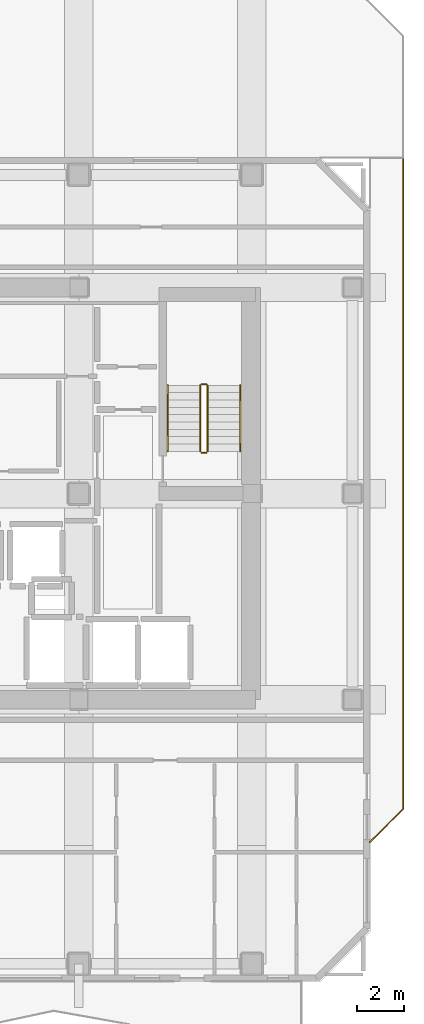
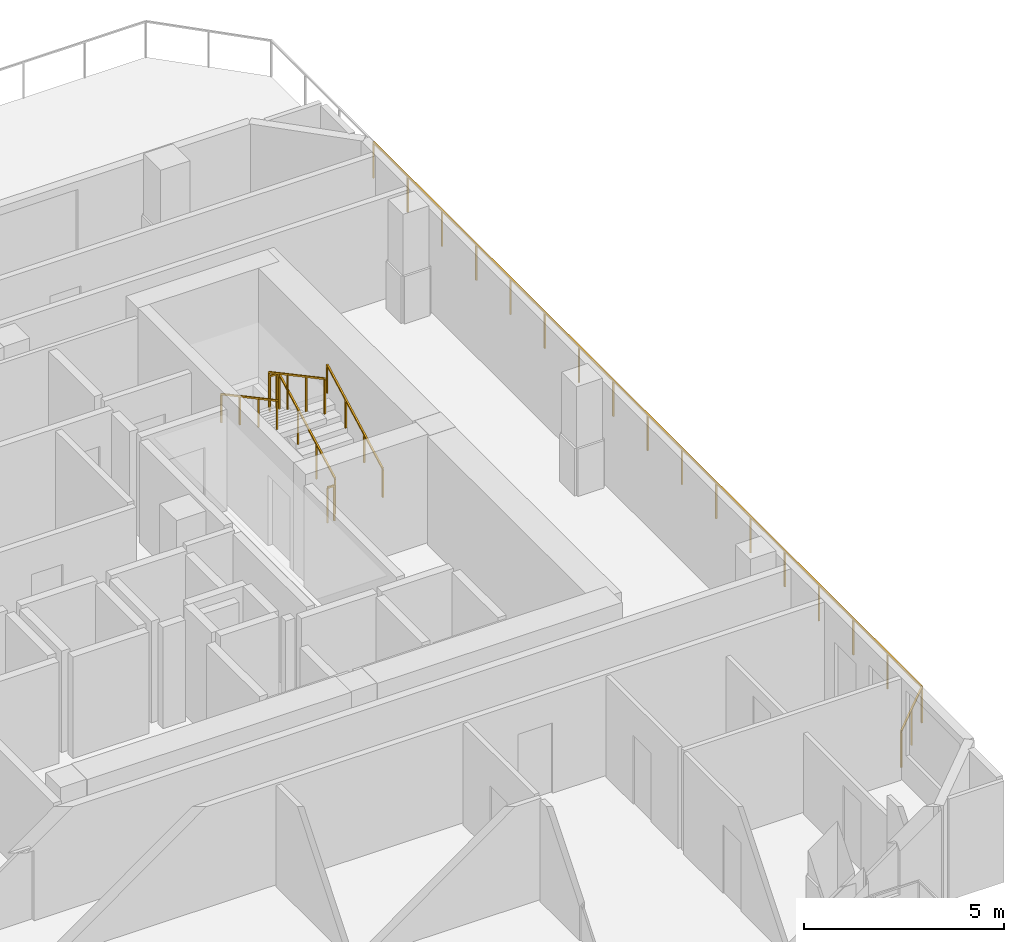
# One storey, part 9 of 10: 8 railings.
"""IFC4 building model written with IfcOpenShell, lengths in metres."""

import ifcopenshell
import ifcopenshell.guid

model = None  # the IFC model being written
_history = None  # IfcOwnerHistory: only IFC2X3 demands one
_inside = {}  # id of a spatial element -> (the spatial element, [elements in it])
_under = {}  # id of a project, library or spatial element -> (it, [spatial elements below it])
_declared = {}  # id of a project -> (the project, [libraries it declares])
_typed = {}  # id of a type object -> (the type object, [elements of that type])
_made_of = {}  # id of a material, layer set ... -> (it, [elements and type objects made of it])


def new_model(schema):
    """Start an empty IFC model of exactly this schema.

    Asked for "IFC4X3", IfcOpenShell would pick the latest addendum, in which some entities
    have other attributes; the version numbers below select the first issue.
    IFC2X3 requires an IfcOwnerHistory on every rooted entity: one is made here for all.
    """
    global model, _history
    if schema == "IFC4X3":
        model = ifcopenshell.file(schema_version=(4, 3, 0, 0))
    else:
        model = ifcopenshell.file(schema=schema)
    _inside.clear()
    _under.clear()
    _declared.clear()
    _typed.clear()
    _made_of.clear()
    _history = None
    if model.schema == "IFC2X3":
        org = make("IfcOrganization", Name="unknown")
        user = make(
            "IfcPersonAndOrganization",
            ThePerson=make("IfcPerson", FamilyName="unknown"),
            TheOrganization=org,
        )
        app = make(
            "IfcApplication",
            ApplicationDeveloper=org,
            Version="unknown",
            ApplicationFullName="unknown",
            ApplicationIdentifier="unknown",
        )
        _history = make(
            "IfcOwnerHistory",
            OwningUser=user,
            OwningApplication=app,
            ChangeAction="ADDED",
            CreationDate=0,
        )
    return model


def make(cls, **values):
    """One entity of the class cls with the attributes given. An attribute that is None is left unset."""
    return model.create_entity(
        cls, **{name: value for name, value in values.items() if value is not None}
    )


def rooted(cls, **values):
    """An entity with a GlobalId (a new one), such as an element, a storey or a relation."""
    return make(cls, GlobalId=ifcopenshell.guid.new(), OwnerHistory=_history, **values)


def si_unit(unit_type, name, prefix=None):
    """IfcSIUnit, for example si_unit("LENGTHUNIT", "METRE", prefix="MILLI")."""
    return make("IfcSIUnit", UnitType=unit_type, Prefix=prefix, Name=name)


def assignment(units):
    """IfcUnitAssignment: the units of a project."""
    return None if units is None else make("IfcUnitAssignment", Units=units)


def point(xyz):
    """IfcCartesianPoint."""
    return None if xyz is None else make("IfcCartesianPoint", Coordinates=xyz)


def direction(xyz):
    """IfcDirection."""
    return None if xyz is None else make("IfcDirection", DirectionRatios=xyz)


def frame(location, z_axis=None, x_axis=None):
    """IfcAxis2Placement3D, a coordinate frame: its origin and axes. An axis left out is left unset."""
    return make(
        "IfcAxis2Placement3D",
        Location=point(location),
        Axis=direction(z_axis),
        RefDirection=direction(x_axis),
    )


def frame_2d(location, x_axis=None):
    """IfcAxis2Placement2D, a coordinate frame in the plane: its origin and x axis."""
    return make(
        "IfcAxis2Placement2D", Location=point(location), RefDirection=direction(x_axis)
    )


def origin():
    """The frame at (0, 0, 0) with its axes left unset."""
    return frame((0.0, 0.0, 0.0))


def origin_2d():
    """The frame at (0, 0) in the plane with its x axis left unset."""
    return frame_2d((0.0, 0.0))


def place(relative_to, where):
    """IfcLocalPlacement: puts the frame where relative to a parent placement (None: the world)."""
    return make(
        "IfcLocalPlacement", PlacementRelTo=relative_to, RelativePlacement=where
    )


def context(
    kind, dimensions, precision=None, world=None, true_north=None, identifier=None
):
    """IfcGeometricRepresentationContext, for example the 3D "Model" context."""
    return make(
        "IfcGeometricRepresentationContext",
        ContextIdentifier=identifier,
        ContextType=kind,
        CoordinateSpaceDimension=dimensions,
        Precision=precision,
        WorldCoordinateSystem=world,
        TrueNorth=true_north,
    )


def subcontext(parent, identifier, kind, view, scale=None):
    """IfcGeometricRepresentationSubContext, for example "Body" below "Model"."""
    return make(
        "IfcGeometricRepresentationSubContext",
        ContextIdentifier=identifier,
        ContextType=kind,
        ParentContext=parent,
        TargetScale=scale,
        TargetView=view,
    )


def project(units=None, contexts=None):
    """IfcProject with its units and contexts."""
    return rooted(
        "IfcProject",
        Name="project",
        RepresentationContexts=contexts,
        UnitsInContext=assignment(units),
    )


def spatial(cls, under=None, at=None, **own):
    """A site, building, storey or space (cls), placed at a placement, below another one or the project."""
    s = rooted(cls, ObjectPlacement=at, **own)
    if under is not None:
        _under.setdefault(under.id(), (under, []))[1].append(s)
    return s


def profile(cls, at=None, kind="AREA", **sizes):
    """A parametric profile (cls). Its sizes go by their IFC names, for example OverallWidth=200.0."""
    return make(cls, ProfileType=kind, Position=at, **sizes)


def rectangle(**sizes):
    """IfcRectangleProfileDef."""
    return profile("IfcRectangleProfileDef", **sizes)


def extrude(swept, where, along, depth):
    """IfcExtrudedAreaSolid: the profile swept, set in the frame where, extruded along a direction by depth."""
    return make(
        "IfcExtrudedAreaSolid",
        SweptArea=swept,
        Position=where,
        ExtrudedDirection=direction(along),
        Depth=depth,
    )


def shape(context_of_items, identifier, shape_type, items):
    """IfcShapeRepresentation: the items that make up one representation, for example the "Body"."""
    return make(
        "IfcShapeRepresentation",
        ContextOfItems=context_of_items,
        RepresentationIdentifier=identifier,
        RepresentationType=shape_type,
        Items=items,
    )


def material(Name=None, Category=None):
    """IfcMaterial."""
    return make("IfcMaterial", Name=Name, Category=Category)


def made_of(thing, what):
    """Note that an element or type object is made of a material, layer set ...; save() writes the relation."""
    if what is not None:
        _made_of.setdefault(what.id(), (what, []))[1].append(thing)
    return thing


def type_object(cls, material=None, **own):
    """A type object (cls), such as IfcWallType, which elements share."""
    return made_of(rooted(cls, **own), material)


def element(
    cls,
    number,
    at=None,
    inside=None,
    cuts=None,
    type_object=None,
    material=None,
    context=None,
    identifier="Body",
    shape_type=None,
    held_by="IfcProductDefinitionShape",
    body=None,
    shapes=None,
    **own,
):
    """One element of the class cls, such as IfcWall. Its Tag is "e" and its number.

    at: its placement. inside: the storey or other place that contains it. cuts: it is an
    opening in that element (IfcRelVoidsElement). A single representation is given by context,
    identifier, shape_type and body (its items); several are given by shapes. held_by: the class
    of the entity that holds the representations. save() writes the other relations.
    """
    e = rooted(cls, Tag="e%d" % number, ObjectPlacement=at, **own)
    if body is not None:
        shapes = [shape(context, identifier, shape_type, body)]
    if shapes is not None:
        e.Representation = make(held_by, Representations=shapes)
    if inside is not None:
        _inside.setdefault(inside.id(), (inside, []))[1].append(e)
    if cuts is not None:
        rooted(
            "IfcRelVoidsElement", RelatingBuildingElement=cuts, RelatedOpeningElement=e
        )
    if type_object is not None:
        _typed.setdefault(type_object.id(), (type_object, []))[1].append(e)
    return made_of(e, material)


def aggregate(whole, parts):
    """IfcRelAggregates: a whole, such as a stair, and the parts it consists of."""
    return rooted("IfcRelAggregates", RelatingObject=whole, RelatedObjects=parts)


def save(model, path):
    """Write the relations noted so far, then the file.

    IfcRelAggregates (storeys below a building ...), IfcRelContainedInSpatialStructure (elements
    in a storey), IfcRelDefinesByType, IfcRelAssociatesMaterial and IfcRelDeclares: one each for
    every whole, place, type object, material and project.
    """
    for whole, parts in _under.values():
        aggregate(whole, parts)
    for where, things in _inside.values():
        rooted(
            "IfcRelContainedInSpatialStructure",
            RelatedElements=things,
            RelatingStructure=where,
        )
    for kind, things in _typed.values():
        rooted("IfcRelDefinesByType", RelatedObjects=things, RelatingType=kind)
    for what, things in _made_of.values():
        rooted("IfcRelAssociatesMaterial", RelatedObjects=things, RelatingMaterial=what)
    for by, libraries in _declared.values():
        rooted("IfcRelDeclares", RelatingContext=by, RelatedDefinitions=libraries)
    model.write(path)


model = new_model("IFC4")

# Units and contexts
model_context = context("Model", 3, precision=1e-05, world=origin(), true_north=direction((0.0, 1.0)))
body_context = subcontext(model_context, "Body", "Model", "MODEL_VIEW")
ifc_project = project(units=[si_unit("LENGTHUNIT", "METRE"), si_unit("AREAUNIT", "SQUARE_METRE"), si_unit("VOLUMEUNIT", "CUBIC_METRE"), si_unit("PLANEANGLEUNIT", "RADIAN"), si_unit("MASSUNIT", "GRAM", prefix="KILO")], contexts=[model_context])

# Site, building, storey
site_placement = place(None, origin())
site = spatial("IfcSite", under=ifc_project, at=site_placement, CompositionType="ELEMENT")
building_placement = place(site_placement, origin())
building = spatial("IfcBuilding", under=site, at=building_placement, Name="Solanera Arch Residences", CompositionType="ELEMENT")
storey_placement = place(building_placement, frame((0.0, 0.0, 190.159912109375)))
storey = spatial("IfcBuildingStorey", under=building, at=storey_placement, Name="L55", CompositionType="ELEMENT", Elevation=190.159912109375)

# Railings
ifc_material_1 = material(Name="Steel S355 (ASTM A992 / A572 Grade 50)", Category="steel")
railing_type_1 = type_object("IfcRailingType", Name="Balustrade Railing BL-1100", PredefinedType="BALUSTRADE", material=ifc_material_1)
railing_1_placement = place(storey_placement, frame((41.47998046875, 15.97998046875, 0.0)))
element("IfcRailing", 1, at=railing_1_placement, inside=storey, type_object=railing_type_1, Name="L55 Sky Terrace Guardrail 1", PredefinedType="BALUSTRADE", context=body_context, shape_type="SweptSolid", body=[
    extrude(rectangle(XDim=0.048095703125, YDim=0.048095703125, at=origin_2d()), frame((0.0, 0.0, 1.09619140625), z_axis=(0.707106781187, 0.707106781187, 0.0), x_axis=(-0.707106781187, 0.707106781187, 0.0)), (0.0, 0.0, 1.0), 2.008056640625),
    extrude(rectangle(XDim=0.0419921875, YDim=0.0419921875, at=origin_2d()), origin(), (0.0, 0.0, 1.0), 1.072021484375),
    extrude(rectangle(XDim=0.0419921875, YDim=0.0419921875, at=origin_2d()), frame((0.7099609375, 0.7099609375, 0.0)), (0.0, 0.0, 1.0), 1.072021484375),
    extrude(rectangle(XDim=0.0419921875, YDim=0.0419921875, at=origin_2d()), frame((1.419921875, 1.419921875, 0.0)), (0.0, 0.0, 1.0), 1.072021484375),
])
railing_2_placement = place(storey_placement, frame((42.89990234375, 17.39990234375, 0.0)))
element("IfcRailing", 2, at=railing_2_placement, inside=storey, type_object=railing_type_1, Name="L55 Sky Terrace Guardrail 1", PredefinedType="BALUSTRADE", context=body_context, shape_type="SweptSolid", body=[
    extrude(rectangle(XDim=0.048095703125, YDim=0.048095703125, at=origin_2d()), frame((0.0, 0.0, 1.09619140625), z_axis=(0.0, 1.0, 0.0), x_axis=(-1.0, 0.0, 0.0)), (0.0, 0.0, 1.0), 27.47998046875),
    extrude(rectangle(XDim=0.0419921875, YDim=0.0419921875, at=origin_2d()), origin(), (0.0, 0.0, 1.0), 1.072021484375),
    extrude(rectangle(XDim=0.0419921875, YDim=0.0419921875, at=origin_2d()), frame((0.0, 1.717529296875, 0.0)), (0.0, 0.0, 1.0), 1.072021484375),
    extrude(rectangle(XDim=0.0419921875, YDim=0.0419921875, at=origin_2d()), frame((0.0, 3.43505859375, 0.0)), (0.0, 0.0, 1.0), 1.072021484375),
    extrude(rectangle(XDim=0.0419921875, YDim=0.0419921875, at=origin_2d()), frame((0.0, 5.152587890625, 0.0)), (0.0, 0.0, 1.0), 1.072021484375),
    extrude(rectangle(XDim=0.0419921875, YDim=0.0419921875, at=origin_2d()), frame((0.0, 6.8701171875, 0.0)), (0.0, 0.0, 1.0), 1.072021484375),
    extrude(rectangle(XDim=0.0419921875, YDim=0.0419921875, at=origin_2d()), frame((0.0, 8.58740234375, 0.0)), (0.0, 0.0, 1.0), 1.072021484375),
    extrude(rectangle(XDim=0.0419921875, YDim=0.0419921875, at=origin_2d()), frame((0.0, 10.304931640625, 0.0)), (0.0, 0.0, 1.0), 1.072021484375),
    extrude(rectangle(XDim=0.0419921875, YDim=0.0419921875, at=origin_2d()), frame((0.0, 12.0224609375, 0.0)), (0.0, 0.0, 1.0), 1.072021484375),
    extrude(rectangle(XDim=0.0419921875, YDim=0.0419921875, at=origin_2d()), frame((0.0, 13.739990234375, 0.0)), (0.0, 0.0, 1.0), 1.072021484375),
    extrude(rectangle(XDim=0.0419921875, YDim=0.0419921875, at=origin_2d()), frame((0.0, 15.45751953125, 0.0)), (0.0, 0.0, 1.0), 1.072021484375),
    extrude(rectangle(XDim=0.0419921875, YDim=0.0419921875, at=origin_2d()), frame((0.0, 17.175048828125, 0.0)), (0.0, 0.0, 1.0), 1.072021484375),
    extrude(rectangle(XDim=0.0419921875, YDim=0.0419921875, at=origin_2d()), frame((0.0, 18.892578125, 0.0)), (0.0, 0.0, 1.0), 1.072021484375),
    extrude(rectangle(XDim=0.0419921875, YDim=0.0419921875, at=origin_2d()), frame((0.0, 20.60986328125, 0.0)), (0.0, 0.0, 1.0), 1.072021484375),
    extrude(rectangle(XDim=0.0419921875, YDim=0.0419921875, at=origin_2d()), frame((0.0, 22.327392578125, 0.0)), (0.0, 0.0, 1.0), 1.072021484375),
    extrude(rectangle(XDim=0.0419921875, YDim=0.0419921875, at=origin_2d()), frame((0.0, 24.044921875, 0.0)), (0.0, 0.0, 1.0), 1.072021484375),
    extrude(rectangle(XDim=0.0419921875, YDim=0.0419921875, at=origin_2d()), frame((0.0, 25.762451171875, 0.0)), (0.0, 0.0, 1.0), 1.072021484375),
    extrude(rectangle(XDim=0.0419921875, YDim=0.0419921875, at=origin_2d()), frame((0.0, 27.47998046875, 0.0)), (0.0, 0.0, 1.0), 1.072021484375),
])
ifc_material_2 = material(Name="Steel S355 (ASTM A992 / A572 Grade 50)", Category="steel")
railing_type_2 = type_object("IfcRailingType", Name="Stair Guardrail GR-1100", PredefinedType="GUARDRAIL", material=ifc_material_2)
railing_3_placement = place(storey_placement, frame((34.6298828125, 32.47998046875, 0.151123046875)))
element("IfcRailing", 3, at=railing_3_placement, inside=storey, type_object=railing_type_2, Name="L55 ST-T2 stair guard 1", PredefinedType="GUARDRAIL", context=body_context, shape_type="SweptSolid", body=[
    extrude(rectangle(XDim=0.048095703125, YDim=0.048095703125, at=origin_2d()), frame((0.0, 0.0, 1.076171875), z_axis=(0.0, 0.881580869306, 0.472033018838), x_axis=(-1.0, 0.0, 0.0)), (0.0, 0.0, 1.0), 3.164794921875),
    extrude(rectangle(XDim=0.0419921875, YDim=0.0419921875, at=origin_2d()), origin(), (0.0, 0.0, 1.0), 1.052001953125),
    extrude(rectangle(XDim=0.0419921875, YDim=0.0419921875, at=origin_2d()), frame((0.0, 0.929931640625, 0.498046875)), (0.0, 0.0, 1.0), 1.052001953125),
    extrude(rectangle(XDim=0.0419921875, YDim=0.0419921875, at=origin_2d()), frame((0.0, 1.860107421875, 0.995849609375)), (0.0, 0.0, 1.0), 1.052001953125),
    extrude(rectangle(XDim=0.0419921875, YDim=0.0419921875, at=origin_2d()), frame((0.0, 2.7900390625, 1.493896484375)), (0.0, 0.0, 1.0), 1.052001953125),
])
railing_4_placement = place(storey_placement, frame((34.580078125, 35.320068359375, 1.64501953125)))
element("IfcRailing", 4, at=railing_4_placement, inside=storey, type_object=railing_type_2, Name="L55 ST-T2 stair guard 2", PredefinedType="GUARDRAIL", context=body_context, shape_type="SweptSolid", body=[
    extrude(rectangle(XDim=0.048095703125, YDim=0.048095703125, at=origin_2d()), frame((0.0, 0.0, 1.076171875), z_axis=(-1.0, 0.0, 0.0), x_axis=(0.0, -1.0, 0.0)), (0.0, 0.0, 1.0), 0.2001953125),
    extrude(rectangle(XDim=0.0419921875, YDim=0.0419921875, at=origin_2d()), origin(), (0.0, 0.0, 1.0), 1.052001953125),
    extrude(rectangle(XDim=0.0419921875, YDim=0.0419921875, at=origin_2d()), frame((-0.2001953125, 0.0, 0.0)), (0.0, 0.0, 1.0), 1.052001953125),
])
railing_5_placement = place(storey_placement, frame((34.330078125, 35.27001953125, 1.81103515625)))
element("IfcRailing", 5, at=railing_5_placement, inside=storey, type_object=railing_type_2, Name="L55 ST-T2 stair guard 3", PredefinedType="GUARDRAIL", context=body_context, shape_type="SweptSolid", body=[
    extrude(rectangle(XDim=0.048095703125, YDim=0.048095703125, at=origin_2d()), frame((0.0, 0.0, 1.076171875), z_axis=(0.0, -0.881548766853, 0.472092969298), x_axis=(1.0, 0.0, 0.0)), (0.0, 0.0, 1.0), 3.1650390625),
    extrude(rectangle(XDim=0.0419921875, YDim=0.0419921875, at=origin_2d()), origin(), (0.0, 0.0, 1.0), 1.052001953125),
    extrude(rectangle(XDim=0.0419921875, YDim=0.0419921875, at=origin_2d()), frame((0.0, -0.929931640625, 0.498046875)), (0.0, 0.0, 1.0), 1.052001953125),
    extrude(rectangle(XDim=0.0419921875, YDim=0.0419921875, at=origin_2d()), frame((0.0, -1.860107421875, 0.99609375)), (0.0, 0.0, 1.0), 1.052001953125),
    extrude(rectangle(XDim=0.0419921875, YDim=0.0419921875, at=origin_2d()), frame((0.0, -2.7900390625, 1.494140625)), (0.0, 0.0, 1.0), 1.052001953125),
])
railing_6_placement = place(storey_placement, frame((34.580078125, 32.429931640625, -0.014892578125)))
element("IfcRailing", 6, at=railing_6_placement, inside=storey, type_object=railing_type_2, Name="L55 ST-T2 stair guard 4", PredefinedType="GUARDRAIL", context=body_context, shape_type="SweptSolid", body=[
    extrude(rectangle(XDim=0.048095703125, YDim=0.048095703125, at=origin_2d()), frame((0.0, 0.0, 1.076171875), z_axis=(-1.0, 0.0, 0.0), x_axis=(0.0, -1.0, 0.0)), (0.0, 0.0, 1.0), 0.2001953125),
    extrude(rectangle(XDim=0.0419921875, YDim=0.0419921875, at=origin_2d()), origin(), (0.0, 0.0, 1.0), 1.052001953125),
    extrude(rectangle(XDim=0.0419921875, YDim=0.0419921875, at=origin_2d()), frame((-0.2001953125, 0.0, 0.0)), (0.0, 0.0, 1.0), 1.052001953125),
])
ifc_material_3 = material(Name="Steel S355 (ASTM A992 / A572 Grade 50)", Category="steel")
railing_type_3 = type_object("IfcRailingType", Name="Stair Wall Handrail HR-920", PredefinedType="HANDRAIL", material=ifc_material_3)
railing_7_placement = place(storey_placement, frame((36.010009765625, 32.47998046875, 0.166015625)))
element("IfcRailing", 7, at=railing_7_placement, inside=storey, type_object=railing_type_3, Name="L55 ST-T2 stair handrail 1", PredefinedType="HANDRAIL", context=body_context, shape_type="SweptSolid", body=[
    extrude(rectangle(XDim=0.048095703125, YDim=0.048095703125, at=origin_2d()), frame((0.0, 0.0, 0.8759765625), z_axis=(0.0, 0.881548766853, 0.472092969298), x_axis=(-1.0, 0.0, 0.0)), (0.0, 0.0, 1.0), 3.1650390625),
    extrude(rectangle(XDim=0.0419921875, YDim=0.0419921875, at=origin_2d()), origin(), (0.0, 0.0, 1.0), 0.851806640625),
    extrude(rectangle(XDim=0.0419921875, YDim=0.0419921875, at=origin_2d()), frame((0.0, 0.929931640625, 0.498046875)), (0.0, 0.0, 1.0), 0.851806640625),
    extrude(rectangle(XDim=0.0419921875, YDim=0.0419921875, at=origin_2d()), frame((0.0, 1.860107421875, 0.99609375)), (0.0, 0.0, 1.0), 0.851806640625),
    extrude(rectangle(XDim=0.0419921875, YDim=0.0419921875, at=origin_2d()), frame((0.0, 2.7900390625, 1.494140625)), (0.0, 0.0, 1.0), 0.851806640625),
])
railing_8_placement = place(storey_placement, frame((32.949951171875, 35.27001953125, 1.826171875)))
element("IfcRailing", 8, at=railing_8_placement, inside=storey, type_object=railing_type_3, Name="L55 ST-T2 stair handrail 2", PredefinedType="HANDRAIL", context=body_context, shape_type="SweptSolid", body=[
    extrude(rectangle(XDim=0.048095703125, YDim=0.048095703125, at=origin_2d()), frame((0.0, 0.0, 0.8759765625), z_axis=(0.0, -0.881580869306, 0.472033018838), x_axis=(1.0, 0.0, 0.0)), (0.0, 0.0, 1.0), 3.164794921875),
    extrude(rectangle(XDim=0.0419921875, YDim=0.0419921875, at=origin_2d()), origin(), (0.0, 0.0, 1.0), 0.851806640625),
    extrude(rectangle(XDim=0.0419921875, YDim=0.0419921875, at=origin_2d()), frame((0.0, -0.929931640625, 0.498046875)), (0.0, 0.0, 1.0), 0.851806640625),
    extrude(rectangle(XDim=0.0419921875, YDim=0.0419921875, at=origin_2d()), frame((0.0, -1.860107421875, 0.995849609375)), (0.0, 0.0, 1.0), 0.851806640625),
    extrude(rectangle(XDim=0.0419921875, YDim=0.0419921875, at=origin_2d()), frame((0.0, -2.7900390625, 1.493896484375)), (0.0, 0.0, 1.0), 0.851806640625),
])

save(model, "model.ifc")
